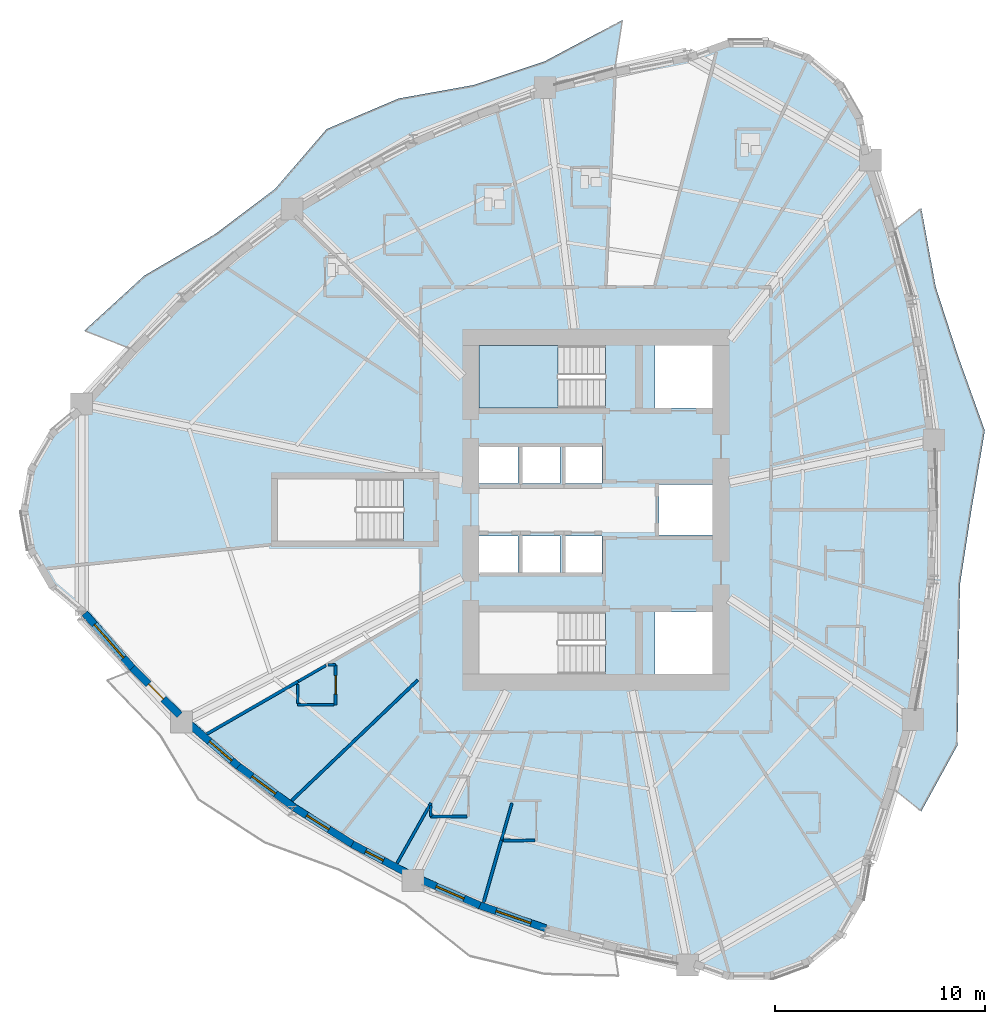
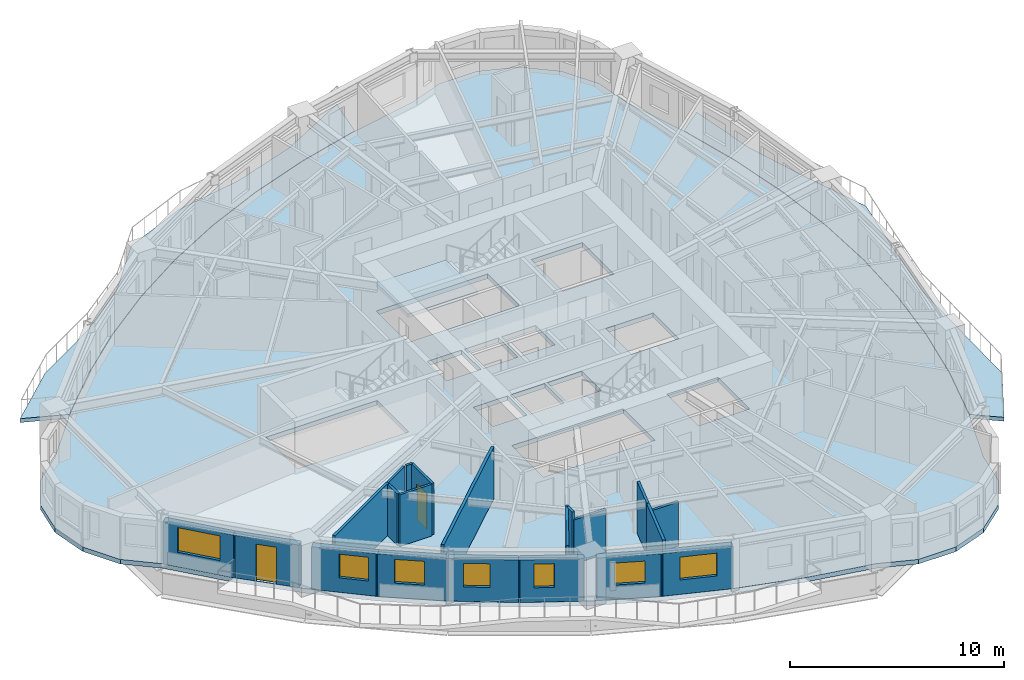
# One storey, part 3 of 14: 21 walls, 7 windows, 4 slabs, 2 doors, 9 openings, 1 element without a shape of its own.
"""IFC4 building model written with IfcOpenShell, lengths in metres."""

from ifc_helpers import new_model, si_unit, direction, frame, frame_2d, origin, place, context, subcontext, project, spatial, polyline, rectangle, outline, extrude, source, transform, mapped, material, layer, layer_set, type_object, element, fill, aggregate, save


model = new_model("IFC4")

# Units and contexts
model_context = context("Model", 3, precision=1e-05, world=origin(), true_north=direction((0.0, 1.0)))
body_context = subcontext(model_context, "Body", "Model", "MODEL_VIEW")
ifc_project = project(units=[si_unit("LENGTHUNIT", "METRE"), si_unit("AREAUNIT", "SQUARE_METRE"), si_unit("VOLUMEUNIT", "CUBIC_METRE"), si_unit("PLANEANGLEUNIT", "RADIAN"), si_unit("MASSUNIT", "GRAM", prefix="KILO")], contexts=[model_context])

# Site, building, storey
site_placement = place(None, origin())
site = spatial("IfcSite", under=ifc_project, at=site_placement, CompositionType="ELEMENT")
building_placement = place(site_placement, origin())
building = spatial("IfcBuilding", under=site, at=building_placement, Name="Qafzar Sky-Pleat Residences", CompositionType="ELEMENT")
storey_placement = place(building_placement, frame((0.0, 0.0, 7.800048828125)))
storey = spatial("IfcBuildingStorey", under=building, at=storey_placement, Name="L01", CompositionType="ELEMENT", Elevation=7.800048828125)

# Slabs
ifc_material_1 = material(Name="Concrete C40/50", Category="concrete")
ifc_layer_1 = layer(ifc_material_1, 0.219970703125)
ifc_layer_set_1 = layer_set([ifc_layer_1], Name="Concrete C40/50")
slab_type_1 = type_object("IfcSlabType", Name="SLAB-BAL-220", PredefinedType="USERDEFINED", material=ifc_layer_set_1)
slab_1_placement = place(storey_placement, frame((0.0, 0.0, -0.219970703125)))
element("IfcSlab", 1, at=slab_1_placement, inside=storey, type_object=slab_type_1, Name="L01 Pleated Stone Balcony 1", ObjectType="BALCONY", PredefinedType="USERDEFINED", context=body_context, shape_type="SweptSolid", body=[
    extrude(outline(polyline([(45.432373046875, 16.017333984375), (46.065185546875, 19.3447265625), (46.444580078125, 22.67236328125), (46.5712890625, 26.0), (46.444580078125, 29.32763671875), (46.065185546875, 32.6552734375), (45.432373046875, 35.982666015625), (44.546630859375, 39.309814453125), (45.822998046875, 40.33642578125), (46.506591796875, 36.597900390625), (47.60205078125, 33.221435546875), (48.843994140625, 29.760498046875), (48.209228515625, 26.0), (47.6630859375, 22.45263671875), (47.60205078125, 18.778564453125), (47.548095703125, 14.805908203125), (45.822998046875, 11.66357421875), (44.546630859375, 12.690185546875), (45.432373046875, 16.017333984375)])), origin(), (0.0, 0.0, 1.0), 0.219970703125),
])
slab_2_placement = place(storey_placement, frame((0.0, 0.0, -0.219970703125)))
element("IfcSlab", 2, at=slab_2_placement, inside=storey, type_object=slab_type_1, Name="L01 Pleated Stone Balcony 2", ObjectType="BALCONY", PredefinedType="USERDEFINED", context=body_context, shape_type="SweptSolid", body=[
    extrude(outline(polyline([(27.928955078125, 46.088134765625), (24.731201171875, 44.972412109375), (21.659423828125, 43.637451171875), (18.71435546875, 42.083251953125), (15.89599609375, 40.309814453125), (13.203857421875, 38.317138671875), (10.638671875, 36.10546875), (8.2001953125, 33.675048828125), (6.02685546875, 34.517578125), (8.877197265625, 37.130859375), (12.25244140625, 39.109130859375), (15.09619140625, 41.2548828125), (17.549072265625, 44.101806640625), (20.97021484375, 45.55517578125), (24.52099609375, 46.1923828125), (27.924560546875, 47.326171875), (31.610107421875, 49.2880859375), (31.253173828125, 46.984619140625), (27.928955078125, 46.088134765625)])), origin(), (0.0, 0.0, 1.0), 0.219970703125),
])
ifc_layer_2 = layer(ifc_material_1, 0.260009765625)
ifc_layer_set_2 = layer_set([ifc_layer_2], Name="Concrete C40/50")
slab_type_2 = type_object("IfcSlabType", Name="SLAB-FLR-260", PredefinedType="FLOOR", material=ifc_layer_set_2)
slab_3_placement = place(storey_placement, frame((0.0, 0.0, -0.260009765625)))
element("IfcSlab", 3, at=slab_3_placement, inside=storey, type_object=slab_type_2, Name="L01 Structural Floor Slab", PredefinedType="FLOOR", context=body_context, shape_type="SweptSolid", body=[
    extrude(outline(polyline([(5.89990234375, 31.02294921875), (4.35693359375, 29.728271484375), (3.349853515625, 27.983642578125), (3.0, 26.0), (3.349853515625, 24.016357421875), (4.35693359375, 22.271728515625), (5.89990234375, 20.97705078125), (8.211181640625, 18.329345703125), (10.64892578125, 15.900390625), (13.213134765625, 13.6904296875), (15.903564453125, 11.699462890625), (18.720458984375, 9.92724609375), (21.66357421875, 8.373779296875), (24.733154296875, 7.039306640625), (27.928955078125, 5.923828125), (31.251220703125, 5.027099609375), (34.699951171875, 4.349365234375), (36.5927734375, 3.660400390625), (38.607177734375, 3.660400390625), (40.5, 4.349365234375), (42.043212890625, 5.64404296875), (43.05029296875, 7.388671875), (43.39990234375, 9.372314453125), (44.537353515625, 12.69775390625), (45.421875, 16.0234375), (46.0537109375, 19.348876953125), (46.432861328125, 22.674560546875), (46.559326171875, 26.0), (46.432861328125, 29.325439453125), (46.0537109375, 32.651123046875), (45.421875, 35.9765625), (44.537353515625, 39.30224609375), (43.39990234375, 42.627685546875), (43.05029296875, 44.611328125), (42.043212890625, 46.35595703125), (40.5, 47.650634765625), (38.607177734375, 48.339599609375), (36.5927734375, 48.339599609375), (34.699951171875, 47.650634765625), (31.251220703125, 46.972900390625), (27.928955078125, 46.076171875), (24.733154296875, 44.960693359375), (21.66357421875, 43.626220703125), (18.720458984375, 42.07275390625), (15.903564453125, 40.300537109375), (13.213134765625, 38.3095703125), (10.64892578125, 36.099609375), (8.211181640625, 33.670654296875), (5.89990234375, 31.02294921875)]), holes=[polyline([(30.797119140625, 21.14990234375), (24.800048828125, 21.14990234375), (24.800048828125, 18.199951171875), (30.797119140625, 18.199951171875), (30.797119140625, 21.14990234375)]), polyline([(30.797119140625, 33.800048828125), (24.800048828125, 33.800048828125), (24.800048828125, 30.85009765625), (30.797119140625, 30.85009765625), (30.797119140625, 33.800048828125)]), polyline([(21.197021484375, 27.47509765625), (15.199951171875, 27.47509765625), (15.199951171875, 24.52490234375), (21.197021484375, 24.52490234375), (21.197021484375, 27.47509765625)]), polyline([(24.800048828125, 22.949951171875), (26.64990234375, 22.949951171875), (26.64990234375, 24.75), (24.800048828125, 24.75), (24.800048828125, 22.949951171875)]), polyline([(26.800048828125, 22.949951171875), (28.64990234375, 22.949951171875), (28.64990234375, 24.75), (26.800048828125, 24.75), (26.800048828125, 22.949951171875)]), polyline([(28.800048828125, 22.949951171875), (30.64990234375, 22.949951171875), (30.64990234375, 24.75), (28.800048828125, 24.75), (28.800048828125, 22.949951171875)]), polyline([(24.800048828125, 27.25), (26.64990234375, 27.25), (26.64990234375, 29.050048828125), (24.800048828125, 29.050048828125), (24.800048828125, 27.25)]), polyline([(26.800048828125, 27.25), (28.64990234375, 27.25), (28.64990234375, 29.050048828125), (26.800048828125, 29.050048828125), (26.800048828125, 27.25)]), polyline([(28.800048828125, 27.25), (30.64990234375, 27.25), (30.64990234375, 29.050048828125), (28.800048828125, 29.050048828125), (28.800048828125, 27.25)]), polyline([(33.14990234375, 18.199951171875), (35.89990234375, 18.199951171875), (35.89990234375, 21.14990234375), (33.14990234375, 21.14990234375), (33.14990234375, 18.199951171875)]), polyline([(33.14990234375, 30.85009765625), (35.89990234375, 30.85009765625), (35.89990234375, 33.800048828125), (33.14990234375, 33.800048828125), (33.14990234375, 30.85009765625)]), polyline([(33.35009765625, 24.800048828125), (35.89990234375, 24.800048828125), (35.89990234375, 27.199951171875), (33.35009765625, 27.199951171875), (33.35009765625, 24.800048828125)])]), origin(), (0.0, 0.0, 1.0), 0.260009765625),
])

# Stair, slab
stair_type = type_object("IfcStairType", Name="STAIR-H320", PredefinedType="HALF_TURN_STAIR", material=ifc_material_1)
stair_placement = place(storey_placement, origin())
stair = element("IfcStair", 4, at=stair_placement, inside=storey, type_object=stair_type, Name="L01 Protected Exit Stair ST2", PredefinedType="HALF_TURN_STAIR")
ifc_layer_3 = layer(ifc_material_1, 0.199951171875)
ifc_layer_set_3 = layer_set([ifc_layer_3], Name="Concrete C40/50")
slab_type_3 = type_object("IfcSlabType", Name="SLAB-LANDING-200", PredefinedType="LANDING", material=ifc_layer_set_3)
slab_4_placement = place(storey_placement, frame((0.0, 0.0, 1.39990234375)))
slab_4 = element("IfcSlab", 5, at=slab_4_placement, type_object=slab_type_3, Name="ST2 landing 1", PredefinedType="LANDING", context=body_context, shape_type="SweptSolid", body=[
    extrude(outline(polyline([(28.56005859375, 33.800048828125), (24.800048828125, 33.800048828125), (24.800048828125, 30.85009765625), (28.56005859375, 30.85009765625), (28.56005859375, 33.800048828125)])), origin(), (0.0, 0.0, 1.0), 0.199951171875),
])
aggregate(stair, [slab_4])

# Walls
ifc_material_2 = material(Name="Acoustic gypsum plasterboard partition", Category="gypsum")
ifc_layer_4 = layer(ifc_material_2, 0.14501953125)
ifc_layer_set_4 = layer_set([ifc_layer_4], Name="Acoustic gypsum plasterboard partition")
wall_type_1 = type_object("IfcWallType", Name="PART-UNIT-145", PredefinedType="PARTITIONING", material=ifc_layer_set_4)
wall_1_placement = place(storey_placement, frame((15.88818359375, 12.17138671875, 0.0), z_axis=(0.0, 0.0, 1.0), x_axis=(0.722733244608, 0.691127091886, 0.0)))
element("IfcWall", 6, at=wall_1_placement, inside=storey, type_object=wall_type_1, Name="L01 Partition Wall PART-L01-PW-047", PredefinedType="PARTITIONING", context=body_context, shape_type="SweptSolid", body=[
    extrude(rectangle(XDim=8.296142578125, YDim=0.14501953125, at=frame_2d((4.14794921875, 0.0))), origin(), (0.0, 0.0, 1.0), 2.93994140625),
])
wall_2_placement = place(storey_placement, frame((11.85107421875, 15.341552734375, 0.0), z_axis=(0.0, 0.0, 1.0), x_axis=(0.86649075999, 0.499193111784, 0.0)))
element("IfcWall", 7, at=wall_2_placement, inside=storey, type_object=wall_type_1, Name="L01 Partition Wall PART-L01-PW-057", PredefinedType="PARTITIONING", context=body_context, shape_type="SweptSolid", body=[
    extrude(rectangle(XDim=5.005126953125, YDim=0.14501953125, at=frame_2d((2.50244140625, 0.0))), origin(), (0.0, 0.0, 1.0), 2.93994140625),
])
wall_3_placement = place(storey_placement, frame((25.00927734375, 7.32666015625, 0.0), z_axis=(0.0, 0.0, 1.0), x_axis=(0.274867847045, 0.961482015776, 0.0)))
element("IfcWall", 8, at=wall_3_placement, inside=storey, type_object=wall_type_1, Name="L01 Partition Wall PART-L01-PW-066", PredefinedType="PARTITIONING", context=body_context, shape_type="SweptSolid", body=[
    extrude(rectangle(XDim=3.07666015625, YDim=0.14501953125, at=frame_2d((1.538330078125, 0.0))), origin(), (0.0, 0.0, 1.0), 2.93994140625),
])

# Wall, opening, door
ifc_material_3 = material(Name="Moisture-resistant gypsum partition", Category="gypsum")
ifc_layer_5 = layer(ifc_material_3, 0.1298828125)
ifc_layer_set_5 = layer_set([ifc_layer_5], Name="Moisture-resistant gypsum partition")
wall_type_2 = type_object("IfcWallType", Name="PART-WET-130", PredefinedType="PARTITIONING", material=ifc_layer_set_5)
wall_4_placement = place(storey_placement, frame((17.972900390625, 16.72509765625, 0.0), z_axis=(0.0, 0.0, 1.0), x_axis=(0.0, 1.0, 0.0)))
wall_4 = element("IfcWall", 9, at=wall_4_placement, inside=storey, type_object=wall_type_2, Name="L01 Partition Wall PART-L01-PW-032", PredefinedType="PARTITIONING", context=body_context, shape_type="SweptSolid", body=[
    extrude(rectangle(XDim=1.89990234375, YDim=0.1298828125, at=frame_2d((0.949951171875, 0.0))), origin(), (0.0, 0.0, 1.0), 2.93994140625),
])
opening_1_placement = place(wall_4_placement, frame((0.510009765625, 0.0, 0.0)))
opening_1 = element("IfcOpeningElement", 10, at=opening_1_placement, cuts=wall_4, Name="Opening ID-07", PredefinedType="OPENING", context=body_context, shape_type="SweptSolid", body=[
    extrude(rectangle(XDim=0.8798828125, YDim=2.050048828125, at=frame_2d((0.43994140625, 1.02490234375))), frame((0.0, 0.074951171875, 0.0), z_axis=(0.0, -1.0, 0.0), x_axis=(1.0, 0.0, 0.0)), (0.0, 0.0, 1.0), 0.14990234375),
])
ifc_material_4 = material(Name="Timber-faced fire door", Category="wood")
door_type_1 = type_object("IfcDoorType", Name="DR-WET-880", OperationType="NOTDEFINED", PredefinedType="DOOR", material=ifc_material_4)
shared_shape_1 = source(origin(), body_context, "Body", "SweptSolid", [
    extrude(rectangle(XDim=0.8798828125, YDim=2.050048828125, at=frame_2d((0.43994140625, 1.02490234375))), frame((0.0, 0.02490234375, 0.0), z_axis=(0.0, -1.0, 0.0), x_axis=(1.0, 0.0, 0.0)), (0.0, 0.0, 1.0), 0.050048828125),
])
door_1_placement = place(opening_1_placement, origin())
door_1 = element("IfcDoor", 11, at=door_1_placement, inside=storey, type_object=door_type_1, Name="L01 En-suite Bathroom 12 Door", OperationType="SINGLE_SWING_RIGHT", OverallHeight=2.050048828125, OverallWidth=0.8798828125, PredefinedType="DOOR", context=body_context, shape_type="MappedRepresentation", body=[
    mapped(shared_shape_1, transform((0.0, 0.0, 0.0), x_axis=(1.0, 0.0, 0.0), y_axis=(0.0, 1.0, 0.0), z_axis=(0.0, 0.0, 1.0), scale=1.0)),
])
fill(opening_1, door_1)

# Walls
wall_5_placement = place(storey_placement, frame((20.8935546875, 9.18701171875, 0.0), z_axis=(0.0, 0.0, 1.0), x_axis=(0.490433761368, 0.871478471169, 0.0)))
element("IfcWall", 12, at=wall_5_placement, inside=storey, type_object=wall_type_2, Name="L01 Partition Wall PART-L01-PW-065", PredefinedType="PARTITIONING", context=body_context, shape_type="SweptSolid", body=[
    extrude(rectangle(XDim=3.2919921875, YDim=0.1298828125, at=frame_2d((1.64599609375, 0.0))), origin(), (0.0, 0.0, 1.0), 2.93994140625),
])
wall_6_placement = place(storey_placement, frame((25.859619140625, 10.29931640625, 0.0), z_axis=(0.0, 0.0, 1.0), x_axis=(0.275022188369, 0.961437879379, 0.0)))
element("IfcWall", 13, at=wall_6_placement, inside=storey, type_object=wall_type_2, Name="L01 Partition Wall PART-L01-PW-075", PredefinedType="PARTITIONING", context=body_context, shape_type="SweptSolid", body=[
    extrude(rectangle(XDim=1.82080078125, YDim=0.1298828125, at=frame_2d((0.910400390625, 0.0))), origin(), (0.0, 0.0, 1.0), 2.93994140625),
])
wall_7_placement = place(storey_placement, frame((16.173095703125, 16.72509765625, 0.0), z_axis=(0.0, 0.0, 1.0), x_axis=(1.0, 0.0, 0.0)))
element("IfcWall", 14, at=wall_7_placement, inside=storey, type_object=wall_type_2, Name="L01 Partition Wall PART-L01-PW-084", PredefinedType="PARTITIONING", context=body_context, shape_type="SweptSolid", body=[
    extrude(rectangle(XDim=1.726806640625, YDim=0.1298828125, at=frame_2d((0.86328125, 0.0))), origin(), (0.0, 0.0, 1.0), 2.93994140625),
])
wall_8_placement = place(storey_placement, frame((22.492919921875, 11.4208984375, 0.0), z_axis=(0.0, 0.0, 1.0), x_axis=(1.0, 0.0, 0.0)))
element("IfcWall", 15, at=wall_8_placement, inside=storey, type_object=wall_type_2, Name="L01 Partition Wall PART-L01-PW-085", PredefinedType="PARTITIONING", context=body_context, shape_type="SweptSolid", body=[
    extrude(rectangle(XDim=1.72705078125, YDim=0.1298828125, at=frame_2d((0.863525390625, 0.0))), origin(), (0.0, 0.0, 1.0), 2.508056640625),
])
wall_9_placement = place(storey_placement, frame((25.952880859375, 10.27001953125, 0.0), z_axis=(0.0, 0.0, 1.0), x_axis=(1.0, 0.0, 0.0)))
element("IfcWall", 16, at=wall_9_placement, inside=storey, type_object=wall_type_2, Name="L01 Partition Wall PART-L01-PW-096", PredefinedType="PARTITIONING", context=body_context, shape_type="SweptSolid", body=[
    extrude(rectangle(XDim=1.498046875, YDim=0.1298828125, at=frame_2d((0.7490234375, 0.0))), origin(), (0.0, 0.0, 1.0), 2.508056640625),
])
wall_10_placement = place(storey_placement, frame((16.200927734375, 17.84765625, 0.0), z_axis=(0.0, 0.0, 1.0), x_axis=(0.866448907576, 0.49926575144, 0.0)))
element("IfcWall", 17, at=wall_10_placement, inside=storey, type_object=wall_type_2, Name="L01 Partition Wall PART-L01-PW-098", PredefinedType="PARTITIONING", context=body_context, shape_type="SweptSolid", body=[
    extrude(rectangle(XDim=1.511962890625, YDim=0.1298828125, at=frame_2d((0.755859375, 0.0))), origin(), (0.0, 0.0, 1.0), 2.93994140625),
])
wall_11_placement = place(storey_placement, frame((16.173095703125, 16.798095703125, 0.0), z_axis=(0.0, 0.0, 1.0), x_axis=(0.0, 1.0, 0.0)))
element("IfcWall", 18, at=wall_11_placement, inside=storey, type_object=wall_type_2, Name="L01 Partition Wall PART-L01-PW-106", PredefinedType="PARTITIONING", context=body_context, shape_type="SweptSolid", body=[
    extrude(rectangle(XDim=0.90478515625, YDim=0.1298828125, at=frame_2d((0.452392578125, 0.0))), origin(), (0.0, 0.0, 1.0), 2.93994140625),
])
wall_12_placement = place(storey_placement, frame((22.492919921875, 11.4208984375, 0.0), z_axis=(0.0, 0.0, 1.0), x_axis=(0.0, 1.0, 0.0)))
element("IfcWall", 19, at=wall_12_placement, inside=storey, type_object=wall_type_2, Name="L01 Partition Wall PART-L01-PW-116", PredefinedType="PARTITIONING", context=body_context, shape_type="SweptSolid", body=[
    extrude(rectangle(XDim=0.51904296875, YDim=0.1298828125, at=frame_2d((0.259521484375, 0.0))), origin(), (0.0, 0.0, 1.0), 2.93994140625),
])
wall_13_placement = place(storey_placement, frame((17.623046875, 18.625, 0.0), z_axis=(0.0, 0.0, 1.0), x_axis=(1.0, 0.0, 0.0)))
element("IfcWall", 20, at=wall_13_placement, inside=storey, type_object=wall_type_2, Name="L01 Partition Wall PART-L01-PW-118", PredefinedType="PARTITIONING", context=body_context, shape_type="SweptSolid", body=[
    extrude(rectangle(XDim=0.349853515625, YDim=0.1298828125, at=frame_2d((0.1748046875, 0.0))), origin(), (0.0, 0.0, 1.0), 2.93994140625),
])

# Wall, opening, window
ifc_material_5 = material(Name="Precast concrete C40/50 with honed Riyadh limestone", Category="concrete")
ifc_layer_6 = layer(ifc_material_5, 0.35009765625)
ifc_layer_set_6 = layer_set([ifc_layer_6], Name="Precast concrete C40/50 with honed Riyadh limestone")
wall_type_3 = type_object("IfcWallType", Name="WALL-EXT-350", PredefinedType="SOLIDWALL", material=ifc_layer_set_6)
wall_14_placement = place(storey_placement, frame((6.044921875, 21.0771484375, 0.0), z_axis=(0.0, 0.0, 1.0), x_axis=(0.657628390725, -0.753342485004, 0.0)))
wall_14 = element("IfcWall", 21, at=wall_14_placement, inside=storey, type_object=wall_type_3, Name="L01 Limestone Facade Wall 7", PredefinedType="SOLIDWALL", context=body_context, shape_type="SweptSolid", body=[
    extrude(rectangle(XDim=3.53271484375, YDim=0.35009765625, at=frame_2d((1.766357421875, 0.0))), origin(), (0.0, 0.0, 1.0), 2.419921875),
])
opening_2_placement = place(wall_14_placement, frame((0.706298828125, 0.0, 0.820068359375)))
opening_2 = element("IfcOpeningElement", 22, at=opening_2_placement, cuts=wall_14, Name="Opening WN-07", PredefinedType="OPENING", context=body_context, shape_type="SweptSolid", body=[
    extrude(rectangle(XDim=2.10009765625, YDim=1.39990234375, at=frame_2d((1.050048828125, 0.699951171875))), frame((0.0, 0.18505859375, 0.0), z_axis=(0.0, -1.0, 0.0), x_axis=(1.0, 0.0, 0.0)), (0.0, 0.0, 1.0), 0.3701171875),
])
ifc_material_6 = material(Name="Solar-control low-E glass in bronze aluminium frame", Category="glass")
window_type_1 = type_object("IfcWindowType", Name="WIN-07", PartitioningType="DOUBLE_PANEL_VERTICAL", PredefinedType="WINDOW", material=ifc_material_6)
shared_shape_2 = source(origin(), body_context, "Body", "SweptSolid", [
    extrude(rectangle(XDim=2.10009765625, YDim=1.39990234375, at=frame_2d((1.050048828125, 0.699951171875))), frame((0.0, 0.030029296875, 0.0), z_axis=(0.0, -1.0, 0.0), x_axis=(1.0, 0.0, 0.0)), (0.0, 0.0, 1.0), 0.06005859375),
])
window_1_placement = place(opening_2_placement, origin())
window_1 = element("IfcWindow", 23, at=window_1_placement, inside=storey, type_object=window_type_1, Name="L01 Punched Facade Window 07", OverallHeight=1.39990234375, OverallWidth=2.10009765625, PartitioningType="SINGLE_PANEL", PredefinedType="WINDOW", context=body_context, shape_type="MappedRepresentation", body=[
    mapped(shared_shape_2, transform((0.0, 0.0, 0.0), x_axis=(1.0, 0.0, 0.0), y_axis=(0.0, 1.0, 0.0), z_axis=(0.0, 0.0, 1.0), scale=1.0)),
])
fill(opening_2, window_1)

# Wall, opening, door
wall_15_placement = place(storey_placement, frame((8.307861328125, 18.47998046875, 0.0), z_axis=(0.0, 0.0, 1.0), x_axis=(0.708411049028, -0.705800103156, 0.0)))
wall_15 = element("IfcWall", 24, at=wall_15_placement, inside=storey, type_object=wall_type_3, Name="L01 Limestone Facade Wall 8", PredefinedType="SOLIDWALL", context=body_context, shape_type="SweptSolid", body=[
    extrude(rectangle(XDim=3.17919921875, YDim=0.35009765625, at=frame_2d((1.589599609375, 0.0))), origin(), (0.0, 0.0, 1.0), 2.419921875),
])
opening_3_placement = place(wall_15_placement, frame((1.089599609375, 0.0, 0.0)))
opening_3 = element("IfcOpeningElement", 25, at=opening_3_placement, cuts=wall_15, Name="Opening ED-05", PredefinedType="OPENING", context=body_context, shape_type="SweptSolid", body=[
    extrude(rectangle(XDim=1.0, YDim=2.10009765625, at=frame_2d((0.5, 1.050048828125))), frame((0.0, 0.18505859375, 0.0), z_axis=(0.0, -1.0, 0.0), x_axis=(1.0, 0.0, 0.0)), (0.0, 0.0, 1.0), 0.3701171875),
])
ifc_material_7 = material(Name="Glazed bronze aluminium door", Category="aluminium")
door_type_2 = type_object("IfcDoorType", Name="DR-BAL-1000", OperationType="NOTDEFINED", PredefinedType="DOOR", material=ifc_material_7)
shared_shape_3 = source(origin(), body_context, "Body", "SweptSolid", [
    extrude(rectangle(XDim=1.0, YDim=2.10009765625, at=frame_2d((0.5, 1.050048828125))), frame((0.0, 0.02490234375, 0.0), z_axis=(0.0, -1.0, 0.0), x_axis=(1.0, 0.0, 0.0)), (0.0, 0.0, 1.0), 0.050048828125),
])
door_2_placement = place(opening_3_placement, origin())
door_2 = element("IfcDoor", 26, at=door_2_placement, inside=storey, type_object=door_type_2, Name="L01 Glazed Balcony Door 3", OperationType="SINGLE_SWING_LEFT", OverallHeight=2.10009765625, OverallWidth=1.0, PredefinedType="DOOR", context=body_context, shape_type="MappedRepresentation", body=[
    mapped(shared_shape_3, transform((0.0, 0.0, 0.0), x_axis=(1.0, 0.0, 0.0), y_axis=(0.0, 1.0, 0.0), z_axis=(0.0, 0.0, 1.0), scale=1.0)),
])
fill(opening_3, door_2)

# Wall, opening, window
wall_16_placement = place(storey_placement, frame((10.990478515625, 15.837158203125, 0.0), z_axis=(0.0, 0.0, 1.0), x_axis=(0.757465946779, -0.652874673632, 0.0)))
wall_16 = element("IfcWall", 27, at=wall_16_placement, inside=storey, type_object=wall_type_3, Name="L01 Limestone Facade Wall 9", PredefinedType="SOLIDWALL", context=body_context, shape_type="SweptSolid", body=[
    extrude(rectangle(XDim=3.123291015625, YDim=0.35009765625, at=frame_2d((1.5615234375, 0.0))), origin(), (0.0, 0.0, 1.0), 2.419921875),
])
opening_4_placement = place(wall_16_placement, frame((1.305419921875, 0.0, 0.820068359375)))
opening_4 = element("IfcOpeningElement", 28, at=opening_4_placement, cuts=wall_16, Name="Opening WN-10", PredefinedType="OPENING", context=body_context, shape_type="SweptSolid", body=[
    extrude(rectangle(XDim=1.39990234375, YDim=1.35009765625, at=frame_2d((0.699951171875, 0.675048828125))), frame((0.0, 0.18505859375, 0.0), z_axis=(0.0, -1.0, 0.0), x_axis=(1.0, 0.0, 0.0)), (0.0, 0.0, 1.0), 0.3701171875),
])
window_type_2 = type_object("IfcWindowType", Name="WIN-10", PartitioningType="SINGLE_PANEL", PredefinedType="WINDOW", material=ifc_material_6)
shared_shape_4 = source(origin(), body_context, "Body", "SweptSolid", [
    extrude(rectangle(XDim=1.39990234375, YDim=1.35009765625, at=frame_2d((0.699951171875, 0.675048828125))), frame((0.0, 0.030029296875, 0.0), z_axis=(0.0, -1.0, 0.0), x_axis=(1.0, 0.0, 0.0)), (0.0, 0.0, 1.0), 0.06005859375),
])
window_2_placement = place(opening_4_placement, origin())
window_2 = element("IfcWindow", 29, at=window_2_placement, inside=storey, type_object=window_type_2, Name="L01 Punched Facade Window 09-2", OverallHeight=1.35009765625, OverallWidth=1.39990234375, PartitioningType="SINGLE_PANEL", PredefinedType="WINDOW", context=body_context, shape_type="MappedRepresentation", body=[
    mapped(shared_shape_4, transform((0.0, 0.0, 0.0), x_axis=(1.0, 0.0, 0.0), y_axis=(0.0, 1.0, 0.0), z_axis=(0.0, 0.0, 1.0), scale=1.0)),
])
fill(opening_4, window_2)

wall_17_placement = place(storey_placement, frame((13.28662109375, 13.853759765625, 0.0), z_axis=(0.0, 0.0, 1.0), x_axis=(0.803848837202, -0.594833629622, 0.0)))
wall_17 = element("IfcWall", 30, at=wall_17_placement, inside=storey, type_object=wall_type_3, Name="L01 Limestone Facade Wall 10", PredefinedType="SOLIDWALL", context=body_context, shape_type="SweptSolid", body=[
    extrude(rectangle(XDim=3.365234375, YDim=0.35009765625, at=frame_2d((1.6826171875, 0.0))), origin(), (0.0, 0.0, 1.0), 2.419921875),
])
opening_5_placement = place(wall_17_placement, frame((0.88330078125, 0.0, 0.820068359375)))
opening_5 = element("IfcOpeningElement", 31, at=opening_5_placement, cuts=wall_17, Name="Opening WN-10", PredefinedType="OPENING", context=body_context, shape_type="SweptSolid", body=[
    extrude(rectangle(XDim=1.39990234375, YDim=1.35009765625, at=frame_2d((0.699951171875, 0.675048828125))), frame((0.0, 0.18505859375, 0.0), z_axis=(0.0, -1.0, 0.0), x_axis=(1.0, 0.0, 0.0)), (0.0, 0.0, 1.0), 0.3701171875),
])
window_3_placement = place(opening_5_placement, origin())
window_3 = element("IfcWindow", 32, at=window_3_placement, inside=storey, type_object=window_type_2, Name="L01 Punched Facade Window 10", OverallHeight=1.35009765625, OverallWidth=1.39990234375, PartitioningType="SINGLE_PANEL", PredefinedType="WINDOW", context=body_context, shape_type="MappedRepresentation", body=[
    mapped(shared_shape_4, transform((0.0, 0.0, 0.0), x_axis=(1.0, 0.0, 0.0), y_axis=(0.0, 1.0, 0.0), z_axis=(0.0, 0.0, 1.0), scale=1.0)),
])
fill(opening_5, window_3)

wall_18_placement = place(storey_placement, frame((16.013671875, 11.8369140625, 0.0), z_axis=(0.0, 0.0, 1.0), x_axis=(0.846420438233, -0.532515203295, 0.0)))
wall_18 = element("IfcWall", 33, at=wall_18_placement, inside=storey, type_object=wall_type_3, Name="L01 Limestone Facade Wall 11", PredefinedType="SOLIDWALL", context=body_context, shape_type="SweptSolid", body=[
    extrude(rectangle(XDim=3.345947265625, YDim=0.35009765625, at=frame_2d((1.6728515625, 0.0))), origin(), (0.0, 0.0, 1.0), 2.419921875),
])
opening_6_placement = place(wall_18_placement, frame((0.6923828125, 0.0, 0.820068359375)))
opening_6 = element("IfcOpeningElement", 34, at=opening_6_placement, cuts=wall_18, Name="Opening WN-11", PredefinedType="OPENING", context=body_context, shape_type="SweptSolid", body=[
    extrude(rectangle(XDim=1.25, YDim=1.35009765625, at=frame_2d((0.625, 0.675048828125))), frame((0.0, 0.18505859375, 0.0), z_axis=(0.0, -1.0, 0.0), x_axis=(1.0, 0.0, 0.0)), (0.0, 0.0, 1.0), 0.3701171875),
])
window_type_3 = type_object("IfcWindowType", Name="WIN-11", PartitioningType="SINGLE_PANEL", PredefinedType="WINDOW", material=ifc_material_6)
shared_shape_5 = source(origin(), body_context, "Body", "SweptSolid", [
    extrude(rectangle(XDim=1.25, YDim=1.35009765625, at=frame_2d((0.625, 0.675048828125))), frame((0.0, 0.030029296875, 0.0), z_axis=(0.0, -1.0, 0.0), x_axis=(1.0, 0.0, 0.0)), (0.0, 0.0, 1.0), 0.06005859375),
])
window_4_placement = place(opening_6_placement, origin())
window_4 = element("IfcWindow", 35, at=window_4_placement, inside=storey, type_object=window_type_3, Name="L01 Punched Facade Window 11", OverallHeight=1.35009765625, OverallWidth=1.25, PartitioningType="SINGLE_PANEL", PredefinedType="WINDOW", context=body_context, shape_type="MappedRepresentation", body=[
    mapped(shared_shape_5, transform((0.0, 0.0, 0.0), x_axis=(1.0, 0.0, 0.0), y_axis=(0.0, 1.0, 0.0), z_axis=(0.0, 0.0, 1.0), scale=1.0)),
])
fill(opening_6, window_4)

wall_19_placement = place(storey_placement, frame((18.7685546875, 10.099609375, 0.0), z_axis=(0.0, 0.0, 1.0), x_axis=(0.884401188265, -0.466727477438, 0.0)))
wall_19 = element("IfcWall", 36, at=wall_19_placement, inside=storey, type_object=wall_type_3, Name="L01 Limestone Facade Wall 12", PredefinedType="SOLIDWALL", context=body_context, shape_type="SweptSolid", body=[
    extrude(rectangle(XDim=3.06591796875, YDim=0.35009765625, at=frame_2d((1.532958984375, 0.0))), origin(), (0.0, 0.0, 1.0), 2.419921875),
])
opening_7_placement = place(wall_19_placement, frame((0.71728515625, 0.0, 0.820068359375)))
opening_7 = element("IfcOpeningElement", 37, at=opening_7_placement, cuts=wall_19, Name="Opening WN-12", PredefinedType="OPENING", context=body_context, shape_type="SweptSolid", body=[
    extrude(rectangle(XDim=0.949951171875, YDim=1.35009765625, at=frame_2d((0.47509765625, 0.675048828125))), frame((0.0, 0.18505859375, 0.0), z_axis=(0.0, -1.0, 0.0), x_axis=(1.0, 0.0, 0.0)), (0.0, 0.0, 1.0), 0.3701171875),
])
window_type_4 = type_object("IfcWindowType", Name="WIN-12", PartitioningType="SINGLE_PANEL", PredefinedType="WINDOW", material=ifc_material_6)
shared_shape_6 = source(origin(), body_context, "Body", "SweptSolid", [
    extrude(rectangle(XDim=0.949951171875, YDim=1.35009765625, at=frame_2d((0.47509765625, 0.675048828125))), frame((0.0, 0.030029296875, 0.0), z_axis=(0.0, -1.0, 0.0), x_axis=(1.0, 0.0, 0.0)), (0.0, 0.0, 1.0), 0.06005859375),
])
window_5_placement = place(opening_7_placement, origin())
window_5 = element("IfcWindow", 38, at=window_5_placement, inside=storey, type_object=window_type_4, Name="L01 Punched Facade Window 12", OverallHeight=1.35009765625, OverallWidth=0.949951171875, PartitioningType="SINGLE_PANEL", PredefinedType="WINDOW", context=body_context, shape_type="MappedRepresentation", body=[
    mapped(shared_shape_6, transform((0.0, 0.0, 0.0), x_axis=(1.0, 0.0, 0.0), y_axis=(0.0, 1.0, 0.0), z_axis=(0.0, 0.0, 1.0), scale=1.0)),
])
fill(opening_7, window_5)

wall_20_placement = place(storey_placement, frame((22.008544921875, 8.414794921875, 0.0), z_axis=(0.0, 0.0, 1.0), x_axis=(0.917077605242, -0.398708748292, 0.0)))
wall_20 = element("IfcWall", 39, at=wall_20_placement, inside=storey, type_object=wall_type_3, Name="L01 Limestone Facade Wall 13", PredefinedType="SOLIDWALL", context=body_context, shape_type="SweptSolid", body=[
    extrude(rectangle(XDim=3.0849609375, YDim=0.35009765625, at=frame_2d((1.54248046875, 0.0))), origin(), (0.0, 0.0, 1.0), 2.419921875),
])
opening_8_placement = place(wall_20_placement, frame((0.8125, 0.0, 0.820068359375)))
opening_8 = element("IfcOpeningElement", 40, at=opening_8_placement, cuts=wall_20, Name="Opening WN-15", PredefinedType="OPENING", context=body_context, shape_type="SweptSolid", body=[
    extrude(rectangle(XDim=1.449951171875, YDim=1.25, at=frame_2d((0.72509765625, 0.625))), frame((0.0, 0.18505859375, 0.0), z_axis=(0.0, -1.0, 0.0), x_axis=(1.0, 0.0, 0.0)), (0.0, 0.0, 1.0), 0.3701171875),
])
window_type_5 = type_object("IfcWindowType", Name="WIN-15", PartitioningType="SINGLE_PANEL", PredefinedType="WINDOW", material=ifc_material_6)
shared_shape_7 = source(origin(), body_context, "Body", "SweptSolid", [
    extrude(rectangle(XDim=1.449951171875, YDim=1.25, at=frame_2d((0.72509765625, 0.625))), frame((0.0, 0.030029296875, 0.0), z_axis=(0.0, -1.0, 0.0), x_axis=(1.0, 0.0, 0.0)), (0.0, 0.0, 1.0), 0.06005859375),
])
window_6_placement = place(opening_8_placement, origin())
window_6 = element("IfcWindow", 41, at=window_6_placement, inside=storey, type_object=window_type_5, Name="L01 Punched Facade Window 13", OverallHeight=1.25, OverallWidth=1.449951171875, PartitioningType="SINGLE_PANEL", PredefinedType="WINDOW", context=body_context, shape_type="MappedRepresentation", body=[
    mapped(shared_shape_7, transform((0.0, 0.0, 0.0), x_axis=(1.0, 0.0, 0.0), y_axis=(0.0, 1.0, 0.0), z_axis=(0.0, 0.0, 1.0), scale=1.0)),
])
fill(opening_8, window_6)

wall_21_placement = place(storey_placement, frame((24.7548828125, 7.217041015625, 0.0), z_axis=(0.0, 0.0, 1.0), x_axis=(0.944148800827, -0.329519410501, 0.0)))
wall_21 = element("IfcWall", 42, at=wall_21_placement, inside=storey, type_object=wall_type_3, Name="L01 Limestone Facade Wall 14", PredefinedType="SOLIDWALL", context=body_context, shape_type="SweptSolid", body=[
    extrude(rectangle(XDim=3.40283203125, YDim=0.35009765625, at=frame_2d((1.701416015625, 0.0))), origin(), (0.0, 0.0, 1.0), 2.419921875),
])
opening_9_placement = place(wall_21_placement, frame((0.899169921875, 0.0, 0.820068359375)))
opening_9 = element("IfcOpeningElement", 43, at=opening_9_placement, cuts=wall_21, Name="Opening WN-14", PredefinedType="OPENING", context=body_context, shape_type="SweptSolid", body=[
    extrude(rectangle(XDim=1.75, YDim=1.300048828125, at=frame_2d((0.875, 0.64990234375))), frame((0.0, 0.18505859375, 0.0), z_axis=(0.0, -1.0, 0.0), x_axis=(1.0, 0.0, 0.0)), (0.0, 0.0, 1.0), 0.3701171875),
])
window_type_6 = type_object("IfcWindowType", Name="WIN-14", PartitioningType="DOUBLE_PANEL_VERTICAL", PredefinedType="WINDOW", material=ifc_material_6)
shared_shape_8 = source(origin(), body_context, "Body", "SweptSolid", [
    extrude(rectangle(XDim=1.75, YDim=1.300048828125, at=frame_2d((0.875, 0.64990234375))), frame((0.0, 0.030029296875, 0.0), z_axis=(0.0, -1.0, 0.0), x_axis=(1.0, 0.0, 0.0)), (0.0, 0.0, 1.0), 0.06005859375),
])
window_7_placement = place(opening_9_placement, origin())
window_7 = element("IfcWindow", 44, at=window_7_placement, inside=storey, type_object=window_type_6, Name="L01 Punched Facade Window 14", OverallHeight=1.300048828125, OverallWidth=1.75, PartitioningType="SINGLE_PANEL", PredefinedType="WINDOW", context=body_context, shape_type="MappedRepresentation", body=[
    mapped(shared_shape_8, transform((0.0, 0.0, 0.0), x_axis=(1.0, 0.0, 0.0), y_axis=(0.0, 1.0, 0.0), z_axis=(0.0, 0.0, 1.0), scale=1.0)),
])
fill(opening_9, window_7)

save(model, "model.ifc")
